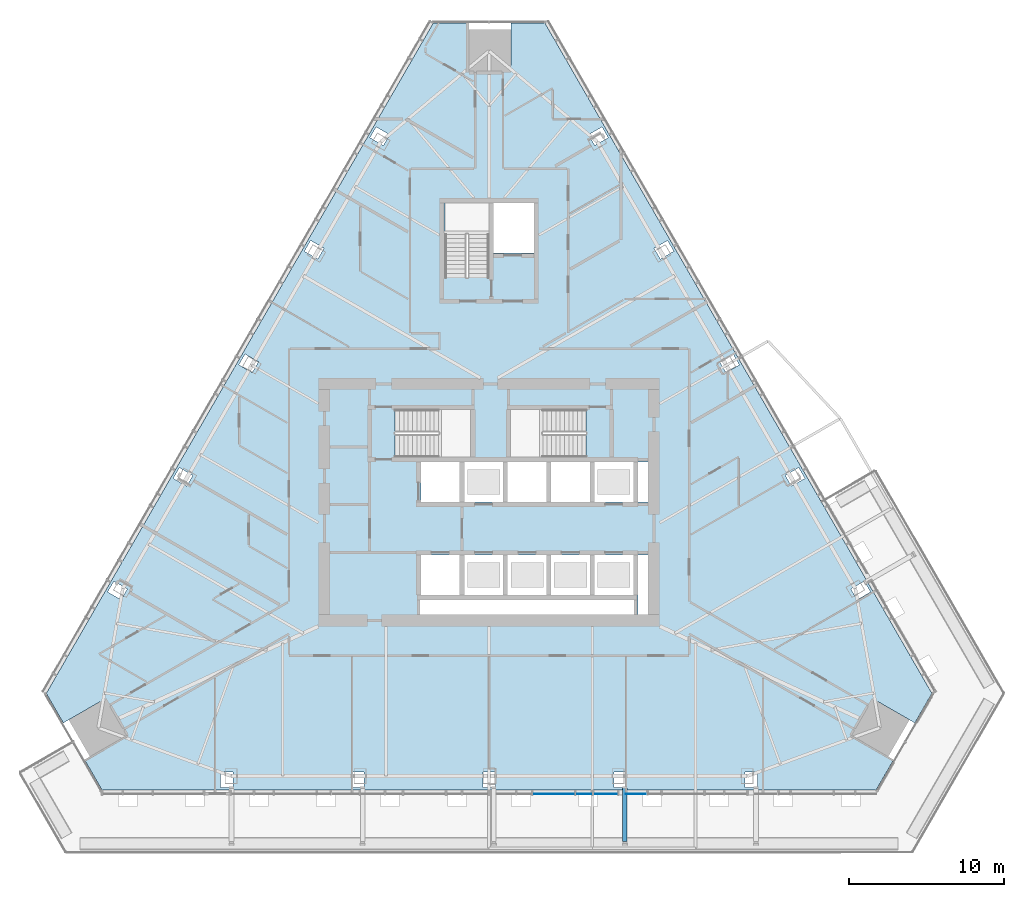
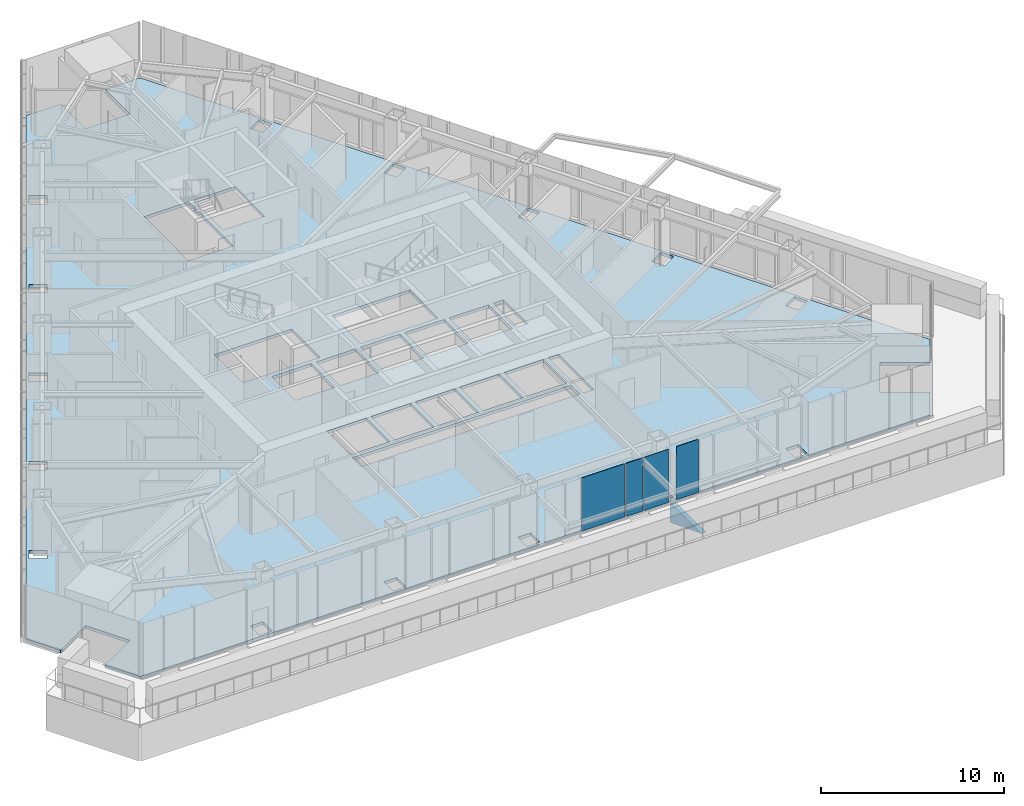
# One storey, part 11 of 21: 5 plates, 1 slab, 1 element without a shape of its own.
"""IFC4 building model written with IfcOpenShell, lengths in metres."""

import ifcopenshell
import ifcopenshell.guid

model = None  # the IFC model being written
_history = None  # IfcOwnerHistory: only IFC2X3 demands one
_inside = {}  # id of a spatial element -> (the spatial element, [elements in it])
_under = {}  # id of a project, library or spatial element -> (it, [spatial elements below it])
_declared = {}  # id of a project -> (the project, [libraries it declares])
_typed = {}  # id of a type object -> (the type object, [elements of that type])
_made_of = {}  # id of a material, layer set ... -> (it, [elements and type objects made of it])


def new_model(schema):
    """Start an empty IFC model of exactly this schema.

    Asked for "IFC4X3", IfcOpenShell would pick the latest addendum, in which some entities
    have other attributes; the version numbers below select the first issue.
    IFC2X3 requires an IfcOwnerHistory on every rooted entity: one is made here for all.
    """
    global model, _history
    if schema == "IFC4X3":
        model = ifcopenshell.file(schema_version=(4, 3, 0, 0))
    else:
        model = ifcopenshell.file(schema=schema)
    _inside.clear()
    _under.clear()
    _declared.clear()
    _typed.clear()
    _made_of.clear()
    _history = None
    if model.schema == "IFC2X3":
        org = make("IfcOrganization", Name="unknown")
        user = make(
            "IfcPersonAndOrganization",
            ThePerson=make("IfcPerson", FamilyName="unknown"),
            TheOrganization=org,
        )
        app = make(
            "IfcApplication",
            ApplicationDeveloper=org,
            Version="unknown",
            ApplicationFullName="unknown",
            ApplicationIdentifier="unknown",
        )
        _history = make(
            "IfcOwnerHistory",
            OwningUser=user,
            OwningApplication=app,
            ChangeAction="ADDED",
            CreationDate=0,
        )
    return model


def make(cls, **values):
    """One entity of the class cls with the attributes given. An attribute that is None is left unset."""
    return model.create_entity(
        cls, **{name: value for name, value in values.items() if value is not None}
    )


def rooted(cls, **values):
    """An entity with a GlobalId (a new one), such as an element, a storey or a relation."""
    return make(cls, GlobalId=ifcopenshell.guid.new(), OwnerHistory=_history, **values)


def si_unit(unit_type, name, prefix=None):
    """IfcSIUnit, for example si_unit("LENGTHUNIT", "METRE", prefix="MILLI")."""
    return make("IfcSIUnit", UnitType=unit_type, Prefix=prefix, Name=name)


def assignment(units):
    """IfcUnitAssignment: the units of a project."""
    return None if units is None else make("IfcUnitAssignment", Units=units)


def point(xyz):
    """IfcCartesianPoint."""
    return None if xyz is None else make("IfcCartesianPoint", Coordinates=xyz)


def direction(xyz):
    """IfcDirection."""
    return None if xyz is None else make("IfcDirection", DirectionRatios=xyz)


def frame(location, z_axis=None, x_axis=None):
    """IfcAxis2Placement3D, a coordinate frame: its origin and axes. An axis left out is left unset."""
    return make(
        "IfcAxis2Placement3D",
        Location=point(location),
        Axis=direction(z_axis),
        RefDirection=direction(x_axis),
    )


def origin():
    """The frame at (0, 0, 0) with its axes left unset."""
    return frame((0.0, 0.0, 0.0))


def place(relative_to, where):
    """IfcLocalPlacement: puts the frame where relative to a parent placement (None: the world)."""
    return make(
        "IfcLocalPlacement", PlacementRelTo=relative_to, RelativePlacement=where
    )


def context(
    kind, dimensions, precision=None, world=None, true_north=None, identifier=None
):
    """IfcGeometricRepresentationContext, for example the 3D "Model" context."""
    return make(
        "IfcGeometricRepresentationContext",
        ContextIdentifier=identifier,
        ContextType=kind,
        CoordinateSpaceDimension=dimensions,
        Precision=precision,
        WorldCoordinateSystem=world,
        TrueNorth=true_north,
    )


def subcontext(parent, identifier, kind, view, scale=None):
    """IfcGeometricRepresentationSubContext, for example "Body" below "Model"."""
    return make(
        "IfcGeometricRepresentationSubContext",
        ContextIdentifier=identifier,
        ContextType=kind,
        ParentContext=parent,
        TargetScale=scale,
        TargetView=view,
    )


def project(units=None, contexts=None):
    """IfcProject with its units and contexts."""
    return rooted(
        "IfcProject",
        Name="project",
        RepresentationContexts=contexts,
        UnitsInContext=assignment(units),
    )


def spatial(cls, under=None, at=None, **own):
    """A site, building, storey or space (cls), placed at a placement, below another one or the project."""
    s = rooted(cls, ObjectPlacement=at, **own)
    if under is not None:
        _under.setdefault(under.id(), (under, []))[1].append(s)
    return s


def polyline(points):
    """IfcPolyline through the points."""
    return make("IfcPolyline", Points=[point(p) for p in points])


def outline(outer, holes=None, kind="AREA"):
    """IfcArbitraryClosedProfileDef: a profile drawn as a closed curve; with holes, ...WithVoids."""
    if holes is None:
        return make("IfcArbitraryClosedProfileDef", ProfileType=kind, OuterCurve=outer)
    return make(
        "IfcArbitraryProfileDefWithVoids",
        ProfileType=kind,
        OuterCurve=outer,
        InnerCurves=holes,
    )


def extrude(swept, where, along, depth):
    """IfcExtrudedAreaSolid: the profile swept, set in the frame where, extruded along a direction by depth."""
    return make(
        "IfcExtrudedAreaSolid",
        SweptArea=swept,
        Position=where,
        ExtrudedDirection=direction(along),
        Depth=depth,
    )


def shape(context_of_items, identifier, shape_type, items):
    """IfcShapeRepresentation: the items that make up one representation, for example the "Body"."""
    return make(
        "IfcShapeRepresentation",
        ContextOfItems=context_of_items,
        RepresentationIdentifier=identifier,
        RepresentationType=shape_type,
        Items=items,
    )


def material(Name=None, Category=None):
    """IfcMaterial."""
    return make("IfcMaterial", Name=Name, Category=Category)


def layer(
    of_material, thickness, ventilated=None, Name=None, Category=None, Priority=None
):
    """IfcMaterialLayer: one layer of a wall or slab, of a material (None: an air gap)."""
    return make(
        "IfcMaterialLayer",
        Material=of_material,
        LayerThickness=thickness,
        IsVentilated=ventilated,
        Name=Name,
        Category=Category,
        Priority=Priority,
    )


def layer_set(layers, Name=None):
    """IfcMaterialLayerSet."""
    return make("IfcMaterialLayerSet", MaterialLayers=layers, LayerSetName=Name)


def made_of(thing, what):
    """Note that an element or type object is made of a material, layer set ...; save() writes the relation."""
    if what is not None:
        _made_of.setdefault(what.id(), (what, []))[1].append(thing)
    return thing


def type_object(cls, material=None, **own):
    """A type object (cls), such as IfcWallType, which elements share."""
    return made_of(rooted(cls, **own), material)


def element(
    cls,
    number,
    at=None,
    inside=None,
    cuts=None,
    type_object=None,
    material=None,
    context=None,
    identifier="Body",
    shape_type=None,
    held_by="IfcProductDefinitionShape",
    body=None,
    shapes=None,
    **own,
):
    """One element of the class cls, such as IfcWall. Its Tag is "e" and its number.

    at: its placement. inside: the storey or other place that contains it. cuts: it is an
    opening in that element (IfcRelVoidsElement). A single representation is given by context,
    identifier, shape_type and body (its items); several are given by shapes. held_by: the class
    of the entity that holds the representations. save() writes the other relations.
    """
    e = rooted(cls, Tag="e%d" % number, ObjectPlacement=at, **own)
    if body is not None:
        shapes = [shape(context, identifier, shape_type, body)]
    if shapes is not None:
        e.Representation = make(held_by, Representations=shapes)
    if inside is not None:
        _inside.setdefault(inside.id(), (inside, []))[1].append(e)
    if cuts is not None:
        rooted(
            "IfcRelVoidsElement", RelatingBuildingElement=cuts, RelatedOpeningElement=e
        )
    if type_object is not None:
        _typed.setdefault(type_object.id(), (type_object, []))[1].append(e)
    return made_of(e, material)


def aggregate(whole, parts):
    """IfcRelAggregates: a whole, such as a stair, and the parts it consists of."""
    return rooted("IfcRelAggregates", RelatingObject=whole, RelatedObjects=parts)


def save(model, path):
    """Write the relations noted so far, then the file.

    IfcRelAggregates (storeys below a building ...), IfcRelContainedInSpatialStructure (elements
    in a storey), IfcRelDefinesByType, IfcRelAssociatesMaterial and IfcRelDeclares: one each for
    every whole, place, type object, material and project.
    """
    for whole, parts in _under.values():
        aggregate(whole, parts)
    for where, things in _inside.values():
        rooted(
            "IfcRelContainedInSpatialStructure",
            RelatedElements=things,
            RelatingStructure=where,
        )
    for kind, things in _typed.values():
        rooted("IfcRelDefinesByType", RelatedObjects=things, RelatingType=kind)
    for what, things in _made_of.values():
        rooted("IfcRelAssociatesMaterial", RelatedObjects=things, RelatingMaterial=what)
    for by, libraries in _declared.values():
        rooted("IfcRelDeclares", RelatingContext=by, RelatedDefinitions=libraries)
    model.write(path)


model = new_model("IFC4")

# Units and contexts
model_context = context("Model", 3, precision=1e-05, world=origin(), true_north=direction((0.0, 1.0)))
body_context = subcontext(model_context, "Body", "Model", "MODEL_VIEW")
ifc_project = project(units=[si_unit("LENGTHUNIT", "METRE"), si_unit("AREAUNIT", "SQUARE_METRE"), si_unit("VOLUMEUNIT", "CUBIC_METRE"), si_unit("PLANEANGLEUNIT", "RADIAN"), si_unit("MASSUNIT", "GRAM", prefix="KILO")], contexts=[model_context])

# Site, building, storey
site_placement = place(None, origin())
site = spatial("IfcSite", under=ifc_project, at=site_placement, CompositionType="ELEMENT")
building_placement = place(site_placement, origin())
building = spatial("IfcBuilding", under=site, at=building_placement, Name="Firuza Gate Tower and Library", CompositionType="ELEMENT")
storey_placement = place(building_placement, frame((0.0, 0.0, 222.10009765625)))
storey = spatial("IfcBuildingStorey", under=building, at=storey_placement, Name="L52", CompositionType="ELEMENT", Elevation=222.10009765625)

# Slab
ifc_material_1 = material(Name="Concrete C40/50", Category="concrete")
ifc_layer_1 = layer(ifc_material_1, 0.199951171875)
ifc_layer_set_1 = layer_set([ifc_layer_1], Name="Composite floor slab 200 C40/50")
slab_type = type_object("IfcSlabType", Name="Composite floor slab 200 C40/50", PredefinedType="FLOOR", material=ifc_layer_set_1)
slab_placement = place(storey_placement, frame((0.0, 0.0, -0.2001953125)))
element("IfcSlab", 1, at=slab_placement, inside=storey, type_object=slab_type, Name="Floor slab L52", PredefinedType="FLOOR", context=body_context, shape_type="SweptSolid", body=[
    extrude(outline(polyline([(99.952880859375, 56.4365234375), (101.052734375, 58.341796875), (98.69580078125, 59.70263671875), (100.095703125, 62.127685546875), (102.452880859375, 60.7666015625), (103.552734375, 62.671875), (78.60009765625, 105.891357421875), (76.39990234375, 105.891357421875), (76.39990234375, 103.169677734375), (73.60009765625, 103.169677734375), (73.60009765625, 105.891357421875), (71.39990234375, 105.891357421875), (46.447265625, 62.671875), (47.547119140625, 60.7666015625), (49.904296875, 62.127685546875), (51.30419921875, 59.70263671875), (48.947265625, 58.341796875), (50.047119140625, 56.4365234375), (99.952880859375, 56.4365234375)]), holes=[polyline([(57.688720703125, 56.597412109375), (57.688720703125, 57.597412109375), (58.48876953125, 57.597412109375), (58.48876953125, 56.597412109375), (57.688720703125, 56.597412109375)]), polyline([(74.60009765625, 56.597412109375), (74.60009765625, 57.597412109375), (75.39990234375, 57.597412109375), (75.39990234375, 56.597412109375), (74.60009765625, 56.597412109375)]), polyline([(66.144287109375, 56.597412109375), (66.144287109375, 57.597412109375), (66.9443359375, 57.597412109375), (66.9443359375, 56.597412109375), (66.144287109375, 56.597412109375)]), polyline([(84.35009765625, 67.75), (70.550048828125, 67.75), (70.550048828125, 68.699951171875), (84.35009765625, 68.699951171875), (84.35009765625, 67.75)]), polyline([(50.80712890625, 69.902099609375), (51.67333984375, 69.402099609375), (51.273193359375, 68.709228515625), (50.4072265625, 69.209228515625), (50.80712890625, 69.902099609375)]), polyline([(73.10009765625, 69.0), (70.60009765625, 69.0), (70.60009765625, 71.60009765625), (73.10009765625, 71.60009765625), (73.10009765625, 69.0)]), polyline([(75.89990234375, 69.0), (73.39990234375, 69.0), (73.39990234375, 71.60009765625), (75.89990234375, 71.60009765625), (75.89990234375, 69.0)]), polyline([(73.10009765625, 75.0), (70.60009765625, 75.0), (70.60009765625, 77.60009765625), (73.10009765625, 77.60009765625), (73.10009765625, 75.0)]), polyline([(75.89990234375, 75.0), (73.39990234375, 75.0), (73.39990234375, 77.60009765625), (75.89990234375, 77.60009765625), (75.89990234375, 75.0)]), polyline([(55.03515625, 77.224853515625), (55.901123046875, 76.724853515625), (55.501220703125, 76.031982421875), (54.635009765625, 76.531982421875), (55.03515625, 77.224853515625)]), polyline([(73.81005859375, 77.89990234375), (68.9404296875, 77.89990234375), (68.9404296875, 80.97998046875), (73.81005859375, 80.97998046875), (73.81005859375, 77.89990234375)]), polyline([(59.262939453125, 84.547607421875), (60.12890625, 84.047607421875), (59.72900390625, 83.35498046875), (58.86279296875, 83.85498046875), (59.262939453125, 84.547607421875)]), polyline([(63.49072265625, 91.87060546875), (64.356689453125, 91.37060546875), (63.956787109375, 90.677734375), (63.0908203125, 91.177734375), (63.49072265625, 91.87060546875)]), polyline([(72.159912109375, 89.470458984375), (72.159912109375, 94.300048828125), (75.0, 94.300048828125), (75.0, 89.470458984375), (72.159912109375, 89.470458984375)]), polyline([(75.300048828125, 91.050048828125), (75.300048828125, 94.300048828125), (77.89990234375, 94.300048828125), (77.89990234375, 91.050048828125), (75.300048828125, 91.050048828125)]), polyline([(68.584716796875, 98.693359375), (68.1845703125, 98.00048828125), (67.318603515625, 98.50048828125), (67.718505859375, 99.193359375), (68.584716796875, 98.693359375)]), polyline([(91.51123046875, 56.597412109375), (91.51123046875, 57.597412109375), (92.311279296875, 57.597412109375), (92.311279296875, 56.597412109375), (91.51123046875, 56.597412109375)]), polyline([(83.0556640625, 56.597412109375), (83.0556640625, 57.597412109375), (83.855712890625, 57.597412109375), (83.855712890625, 56.597412109375), (83.0556640625, 56.597412109375)]), polyline([(99.5927734375, 69.209228515625), (98.726806640625, 68.709228515625), (98.32666015625, 69.402099609375), (99.19287109375, 69.902099609375), (99.5927734375, 69.209228515625)]), polyline([(85.25, 67.75), (84.60009765625, 67.75), (84.60009765625, 71.60009765625), (85.25, 71.60009765625), (85.25, 67.75)]), polyline([(81.5, 69.0), (79.0, 69.0), (79.0, 71.60009765625), (81.5, 71.60009765625), (81.5, 69.0)]), polyline([(81.800048828125, 69.0), (81.800048828125, 71.60009765625), (84.300048828125, 71.60009765625), (84.300048828125, 69.0), (81.800048828125, 69.0)]), polyline([(76.199951171875, 69.0), (76.199951171875, 71.60009765625), (78.699951171875, 71.60009765625), (78.699951171875, 69.0), (76.199951171875, 69.0)]), polyline([(81.5, 75.0), (79.0, 75.0), (79.0, 77.60009765625), (81.5, 77.60009765625), (81.5, 75.0)]), polyline([(84.300048828125, 75.0), (81.800048828125, 75.0), (81.800048828125, 77.60009765625), (84.300048828125, 77.60009765625), (84.300048828125, 75.0)]), polyline([(85.25, 75.0), (84.60009765625, 75.0), (84.60009765625, 77.60009765625), (85.25, 77.60009765625), (85.25, 75.0)]), polyline([(78.699951171875, 75.0), (76.199951171875, 75.0), (76.199951171875, 77.60009765625), (78.699951171875, 77.60009765625), (78.699951171875, 75.0)]), polyline([(95.364990234375, 76.531982421875), (94.498779296875, 76.031982421875), (94.098876953125, 76.724853515625), (94.96484375, 77.224853515625), (95.364990234375, 76.531982421875)]), polyline([(81.259521484375, 77.89990234375), (76.389892578125, 77.89990234375), (76.389892578125, 80.97998046875), (81.259521484375, 80.97998046875), (81.259521484375, 77.89990234375)]), polyline([(91.13720703125, 83.85498046875), (90.27099609375, 83.35498046875), (89.87109375, 84.047607421875), (90.737060546875, 84.547607421875), (91.13720703125, 83.85498046875)]), polyline([(86.043212890625, 90.677734375), (85.643310546875, 91.37060546875), (86.50927734375, 91.87060546875), (86.9091796875, 91.177734375), (86.043212890625, 90.677734375)]), polyline([(81.8154296875, 98.00048828125), (81.415283203125, 98.693359375), (82.281494140625, 99.193359375), (82.681396484375, 98.50048828125), (81.8154296875, 98.00048828125)])]), origin(), (0.0, 0.0, 1.0), 0.2001953125),
])

# Curtain wall, plates
ifc_material_2 = material(Name="Aluminium 6063-T6", Category="aluminium")
ifc_layer_2 = layer(ifc_material_2, 0.14990234375)
ifc_layer_set_2 = layer_set([ifc_layer_2], Name="Unitised curtain wall, hotel")
curtain_wall_type = type_object("IfcCurtainWallType", Name="Unitised curtain wall, hotel", PredefinedType="NOTDEFINED", material=ifc_layer_set_2)
curtain_wall_placement = place(storey_placement, origin())
curtain_wall = element("IfcCurtainWall", 2, at=curtain_wall_placement, inside=storey, type_object=curtain_wall_type, Name="CW2 L52 S face", PredefinedType="NOTDEFINED")
ifc_material_3 = material(Name="Fritted glass", Category="glass")
ifc_layer_3 = layer(ifc_material_3, 0.030029296875)
ifc_layer_set_3 = layer_set([ifc_layer_3], Name="Fritted glass unit, hotel")
plate_type_1 = type_object("IfcPlateType", Name="Fritted glass unit, hotel", PredefinedType="CURTAIN_PANEL", material=ifc_layer_set_3)
plate_1_placement = place(storey_placement, frame((81.74365234375, 56.176513671875, 0.14990234375), z_axis=(0.0, -1.0, 0.0), x_axis=(1.0, 0.0, 0.0)))
plate_1 = element("IfcPlate", 3, at=plate_1_placement, type_object=plate_type_1, Name="Glass unit", PredefinedType="CURTAIN_PANEL", context=body_context, shape_type="SweptSolid", body=[
    extrude(outline(polyline([(0.0, 0.0), (1.54833984375, 0.0), (1.54833984375, 3.550048828125), (0.0, 3.550048828125), (0.0, 0.0)])), origin(), (0.0, 0.0, -1.0), 0.030029296875),
])
plate_2_placement = place(storey_placement, frame((83.8046875, 56.176513671875, 0.14990234375), z_axis=(0.0, -1.0, 0.0), x_axis=(1.0, 0.0, 0.0)))
plate_2 = element("IfcPlate", 4, at=plate_2_placement, type_object=plate_type_1, Name="Glass unit", PredefinedType="CURTAIN_PANEL", context=body_context, shape_type="SweptSolid", body=[
    extrude(outline(polyline([(0.0, 0.0), (1.363037109375, 0.0), (1.363037109375, 3.550048828125), (0.0, 3.550048828125), (0.0, 0.0)])), origin(), (0.0, 0.0, -1.0), 0.030029296875),
])
ifc_material_4 = material(Name="Glazed ceramic tile")
ifc_layer_4 = layer(ifc_material_4, 0.030029296875)
ifc_layer_set_4 = layer_set([ifc_layer_4], Name="Opaque ceramic panel, hotel")
plate_type_2 = type_object("IfcPlateType", Name="Opaque ceramic panel, hotel", PredefinedType="CURTAIN_PANEL", material=ifc_layer_set_4)
plate_3_placement = place(storey_placement, frame((77.8173828125, 56.176513671875, 0.14990234375), z_axis=(0.0, -1.0, 0.0), x_axis=(1.0, 0.0, 0.0)))
plate_3 = element("IfcPlate", 5, at=plate_3_placement, type_object=plate_type_2, Name="Opaque ceramic panel", PredefinedType="CURTAIN_PANEL", context=body_context, shape_type="SweptSolid", body=[
    extrude(outline(polyline([(0.0, 0.0), (2.697265625, 0.0), (2.697265625, 3.550048828125), (0.0, 3.550048828125), (0.0, 0.0)])), origin(), (0.0, 0.0, -1.0), 0.030029296875),
])
plate_4_placement = place(storey_placement, frame((80.5947265625, 56.176513671875, 0.14990234375), z_axis=(0.0, -1.0, 0.0), x_axis=(1.0, 0.0, 0.0)))
plate_4 = element("IfcPlate", 6, at=plate_4_placement, type_object=plate_type_2, Name="Opaque ceramic panel", PredefinedType="CURTAIN_PANEL", context=body_context, shape_type="SweptSolid", body=[
    extrude(outline(polyline([(0.0, 0.0), (1.06884765625, 0.0), (1.06884765625, 3.550048828125), (0.0, 3.550048828125), (0.0, 0.0)])), origin(), (0.0, 0.0, -1.0), 0.030029296875),
])
aggregate(curtain_wall, [plate_3, plate_4, plate_1, plate_2])

# Plate
ifc_material_5 = material(Name="Steel S355", Category="steel")
ifc_layer_5 = layer(ifc_material_5, 0.300048828125)
ifc_layer_set_5 = layer_set([ifc_layer_5], Name="Tray bracket web 300 Steel S355")
plate_type_3 = type_object("IfcPlateType", Name="Tray bracket web 300 Steel S355", PredefinedType="SHEET", material=ifc_layer_set_5)
plate_5_placement = place(storey_placement, frame((83.906005859375, 56.56201171875, -0.2001953125), z_axis=(1.0, 0.0, 0.0), x_axis=(0.0, -1.0, 0.0)))
element("IfcPlate", 7, at=plate_5_placement, inside=storey, type_object=plate_type_3, Name="Tray bracket web L52 col:L51:S4", PredefinedType="SHEET", context=body_context, shape_type="SweptSolid", body=[
    extrude(outline(polyline([(0.0, 0.0), (3.428955078125, 0.0), (0.0, 1.333984375), (0.0, 0.0)])), origin(), (0.0, 0.0, -1.0), 0.300048828125),
])

save(model, "model.ifc")
